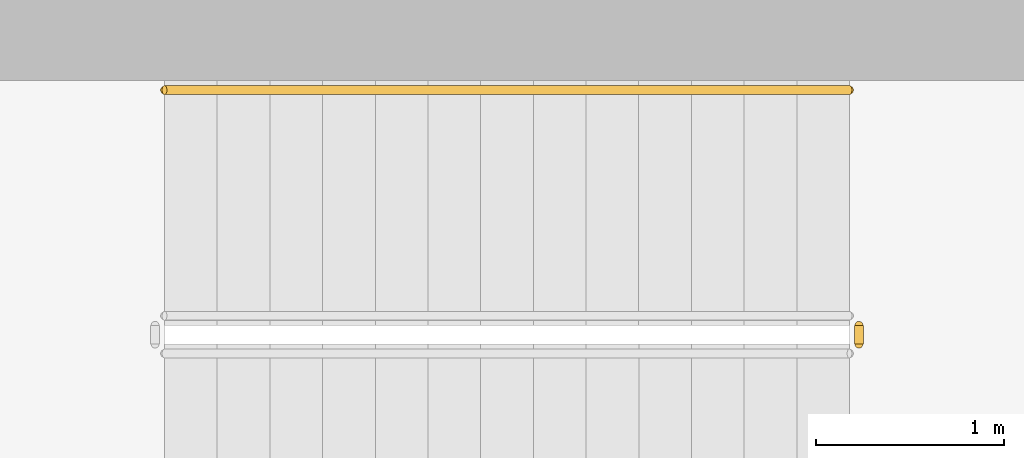
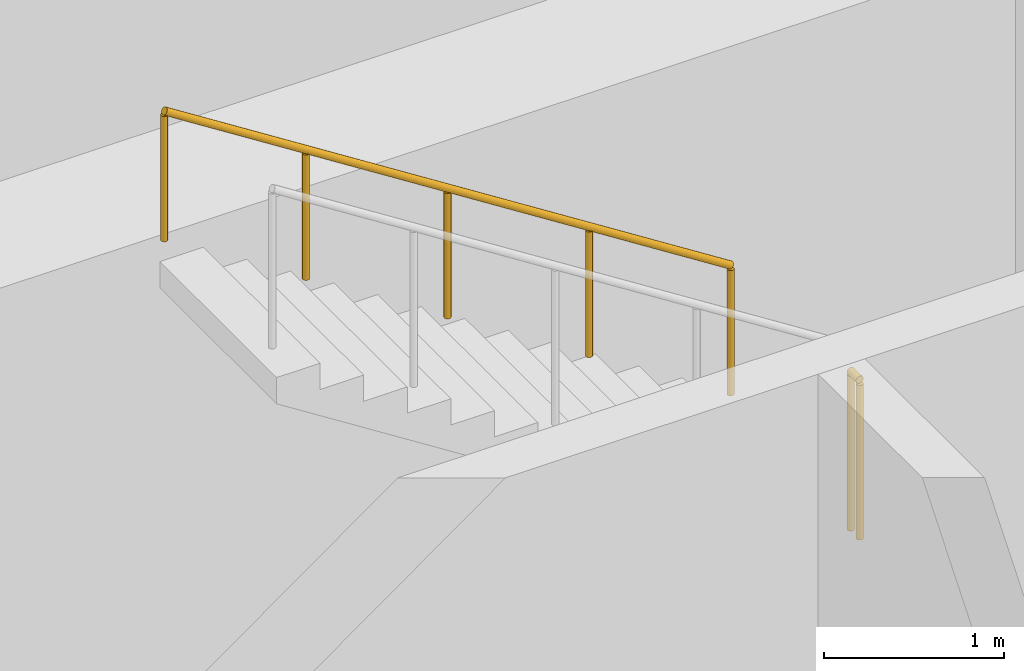
# One storey, part 22 of 31: 2 railings.
"""IFC4 building model written with IfcOpenShell, lengths in metres."""

from ifc_helpers import new_model, si_unit, direction, frame, origin, origin_2d, place, context, subcontext, project, spatial, circle, extrude, material, type_object, element, save


model = new_model("IFC4")

# Units and contexts
model_context = context("Model", 3, precision=1e-05, world=origin(), true_north=direction((0.0, 1.0)))
body_context = subcontext(model_context, "Body", "Model", "MODEL_VIEW")
ifc_project = project(units=[si_unit("LENGTHUNIT", "METRE"), si_unit("AREAUNIT", "SQUARE_METRE"), si_unit("VOLUMEUNIT", "CUBIC_METRE"), si_unit("PLANEANGLEUNIT", "RADIAN"), si_unit("MASSUNIT", "GRAM", prefix="KILO")], contexts=[model_context])

# Site, building, storey
site_placement = place(None, origin())
site = spatial("IfcSite", under=ifc_project, at=site_placement, CompositionType="ELEMENT")
building_placement = place(site_placement, origin())
building = spatial("IfcBuilding", under=site, at=building_placement, Name="Ogive Portal Towers", CompositionType="ELEMENT")
storey_placement = place(building_placement, frame((0.0, 0.0, 13.5)))
storey = spatial("IfcBuildingStorey", under=building, at=storey_placement, Name="L02", CompositionType="ELEMENT", Elevation=13.5)

# Railings
ifc_material_1 = material(Name="Stainless steel balustrade", Category="steel")
railing_type_1 = type_object("IfcRailingType", Name="INT-GUARD", PredefinedType="GUARDRAIL", material=ifc_material_1)
railing_1_placement = place(storey_placement, frame((56.239990234375, 37.64990234375, 2.5)))
element("IfcRailing", 1, at=railing_1_placement, inside=storey, type_object=railing_type_1, Name="L02 ST-A2 stair guard 2", PredefinedType="GUARDRAIL", context=body_context, shape_type="SweptSolid", body=[
    extrude(circle(Radius=0.02392578125, at=origin_2d()), frame((0.0, 0.0, 1.076171875), z_axis=(0.0, 1.0, 0.0), x_axis=(-1.0, 0.0, 0.0)), (0.0, 0.0, 1.0), 0.10009765625),
    extrude(circle(Radius=0.02099609375, at=origin_2d()), origin(), (0.0, 0.0, 1.0), 1.052001953125),
    extrude(circle(Radius=0.02099609375, at=origin_2d()), frame((0.0, 0.10009765625, 0.0)), (0.0, 0.0, 1.0), 1.052001953125),
])
ifc_material_2 = material(Name="Stainless steel handrail", Category="steel")
railing_type_2 = type_object("IfcRailingType", Name="INT-HANDRAIL", PredefinedType="HANDRAIL", material=ifc_material_2)
railing_2_placement = place(storey_placement, frame((56.18994140625, 39.0, 2.678466796875)))
element("IfcRailing", 2, at=railing_2_placement, inside=storey, type_object=railing_type_2, Name="L02 ST-A2 stair handrail 2", PredefinedType="HANDRAIL", context=body_context, shape_type="SweptSolid", body=[
    extrude(circle(Radius=0.02392578125, at=origin_2d()), frame((0.0, 0.0, 0.8759765625), z_axis=(-0.843111507901, 0.0, 0.53773877045), x_axis=(0.0, -1.0, 0.0)), (0.0, 0.0, 1.0), 4.317138671875),
    extrude(circle(Radius=0.02099609375, at=origin_2d()), origin(), (0.0, 0.0, 1.0), 0.851806640625),
    extrude(circle(Radius=0.02099609375, at=origin_2d()), frame((-0.909912109375, 0.0, 0.580322265625)), (0.0, 0.0, 1.0), 0.851806640625),
    extrude(circle(Radius=0.02099609375, at=origin_2d()), frame((-1.81982421875, 0.0, 1.16064453125)), (0.0, 0.0, 1.0), 0.851806640625),
    extrude(circle(Radius=0.02099609375, at=origin_2d()), frame((-2.72998046875, 0.0, 1.7412109375)), (0.0, 0.0, 1.0), 0.851806640625),
    extrude(circle(Radius=0.02099609375, at=origin_2d()), frame((-3.639892578125, 0.0, 2.321533203125)), (0.0, 0.0, 1.0), 0.851806640625),
])

save(model, "model.ifc")
